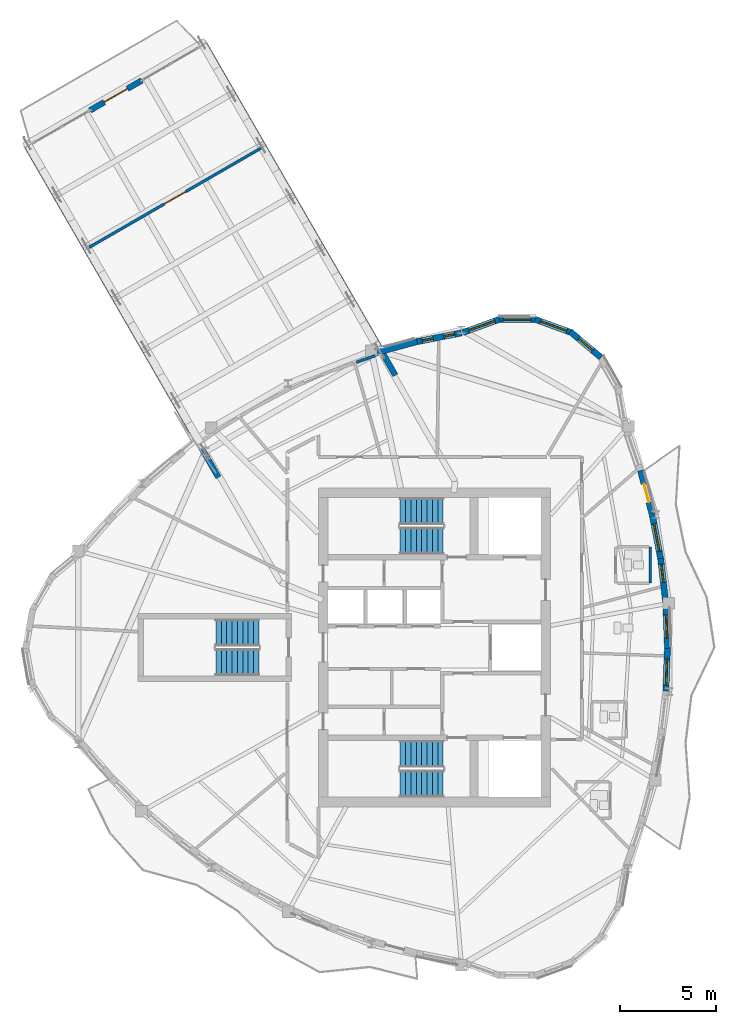
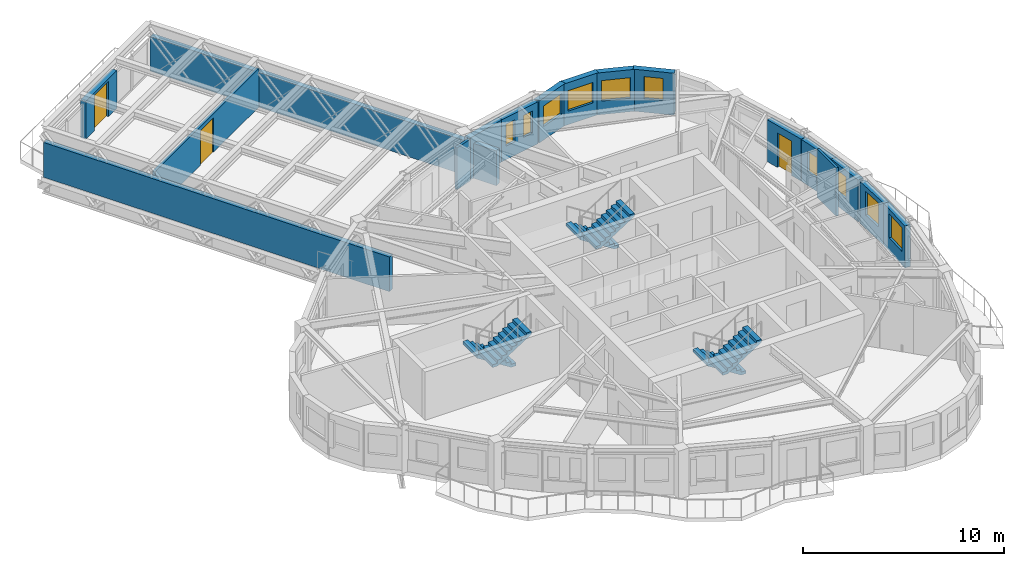
# One storey, part 10 of 14: 17 walls, 10 windows, 6 stair flights, 3 doors, 13 openings, 3 elements without a shape of their own.
"""IFC4 building model written with IfcOpenShell, lengths in metres."""

import ifcopenshell
import ifcopenshell.guid

model = None  # the IFC model being written
_history = None  # IfcOwnerHistory: only IFC2X3 demands one
_inside = {}  # id of a spatial element -> (the spatial element, [elements in it])
_under = {}  # id of a project, library or spatial element -> (it, [spatial elements below it])
_declared = {}  # id of a project -> (the project, [libraries it declares])
_typed = {}  # id of a type object -> (the type object, [elements of that type])
_made_of = {}  # id of a material, layer set ... -> (it, [elements and type objects made of it])


def new_model(schema):
    """Start an empty IFC model of exactly this schema.

    Asked for "IFC4X3", IfcOpenShell would pick the latest addendum, in which some entities
    have other attributes; the version numbers below select the first issue.
    IFC2X3 requires an IfcOwnerHistory on every rooted entity: one is made here for all.
    """
    global model, _history
    if schema == "IFC4X3":
        model = ifcopenshell.file(schema_version=(4, 3, 0, 0))
    else:
        model = ifcopenshell.file(schema=schema)
    _inside.clear()
    _under.clear()
    _declared.clear()
    _typed.clear()
    _made_of.clear()
    _history = None
    if model.schema == "IFC2X3":
        org = make("IfcOrganization", Name="unknown")
        user = make(
            "IfcPersonAndOrganization",
            ThePerson=make("IfcPerson", FamilyName="unknown"),
            TheOrganization=org,
        )
        app = make(
            "IfcApplication",
            ApplicationDeveloper=org,
            Version="unknown",
            ApplicationFullName="unknown",
            ApplicationIdentifier="unknown",
        )
        _history = make(
            "IfcOwnerHistory",
            OwningUser=user,
            OwningApplication=app,
            ChangeAction="ADDED",
            CreationDate=0,
        )
    return model


def make(cls, **values):
    """One entity of the class cls with the attributes given. An attribute that is None is left unset."""
    return model.create_entity(
        cls, **{name: value for name, value in values.items() if value is not None}
    )


def rooted(cls, **values):
    """An entity with a GlobalId (a new one), such as an element, a storey or a relation."""
    return make(cls, GlobalId=ifcopenshell.guid.new(), OwnerHistory=_history, **values)


def si_unit(unit_type, name, prefix=None):
    """IfcSIUnit, for example si_unit("LENGTHUNIT", "METRE", prefix="MILLI")."""
    return make("IfcSIUnit", UnitType=unit_type, Prefix=prefix, Name=name)


def assignment(units):
    """IfcUnitAssignment: the units of a project."""
    return None if units is None else make("IfcUnitAssignment", Units=units)


def point(xyz):
    """IfcCartesianPoint."""
    return None if xyz is None else make("IfcCartesianPoint", Coordinates=xyz)


def direction(xyz):
    """IfcDirection."""
    return None if xyz is None else make("IfcDirection", DirectionRatios=xyz)


def frame(location, z_axis=None, x_axis=None):
    """IfcAxis2Placement3D, a coordinate frame: its origin and axes. An axis left out is left unset."""
    return make(
        "IfcAxis2Placement3D",
        Location=point(location),
        Axis=direction(z_axis),
        RefDirection=direction(x_axis),
    )


def frame_2d(location, x_axis=None):
    """IfcAxis2Placement2D, a coordinate frame in the plane: its origin and x axis."""
    return make(
        "IfcAxis2Placement2D", Location=point(location), RefDirection=direction(x_axis)
    )


def origin():
    """The frame at (0, 0, 0) with its axes left unset."""
    return frame((0.0, 0.0, 0.0))


def place(relative_to, where):
    """IfcLocalPlacement: puts the frame where relative to a parent placement (None: the world)."""
    return make(
        "IfcLocalPlacement", PlacementRelTo=relative_to, RelativePlacement=where
    )


def context(
    kind, dimensions, precision=None, world=None, true_north=None, identifier=None
):
    """IfcGeometricRepresentationContext, for example the 3D "Model" context."""
    return make(
        "IfcGeometricRepresentationContext",
        ContextIdentifier=identifier,
        ContextType=kind,
        CoordinateSpaceDimension=dimensions,
        Precision=precision,
        WorldCoordinateSystem=world,
        TrueNorth=true_north,
    )


def subcontext(parent, identifier, kind, view, scale=None):
    """IfcGeometricRepresentationSubContext, for example "Body" below "Model"."""
    return make(
        "IfcGeometricRepresentationSubContext",
        ContextIdentifier=identifier,
        ContextType=kind,
        ParentContext=parent,
        TargetScale=scale,
        TargetView=view,
    )


def project(units=None, contexts=None):
    """IfcProject with its units and contexts."""
    return rooted(
        "IfcProject",
        Name="project",
        RepresentationContexts=contexts,
        UnitsInContext=assignment(units),
    )


def spatial(cls, under=None, at=None, **own):
    """A site, building, storey or space (cls), placed at a placement, below another one or the project."""
    s = rooted(cls, ObjectPlacement=at, **own)
    if under is not None:
        _under.setdefault(under.id(), (under, []))[1].append(s)
    return s


def polyline(points):
    """IfcPolyline through the points."""
    return make("IfcPolyline", Points=[point(p) for p in points])


def profile(cls, at=None, kind="AREA", **sizes):
    """A parametric profile (cls). Its sizes go by their IFC names, for example OverallWidth=200.0."""
    return make(cls, ProfileType=kind, Position=at, **sizes)


def rectangle(**sizes):
    """IfcRectangleProfileDef."""
    return profile("IfcRectangleProfileDef", **sizes)


def outline(outer, holes=None, kind="AREA"):
    """IfcArbitraryClosedProfileDef: a profile drawn as a closed curve; with holes, ...WithVoids."""
    if holes is None:
        return make("IfcArbitraryClosedProfileDef", ProfileType=kind, OuterCurve=outer)
    return make(
        "IfcArbitraryProfileDefWithVoids",
        ProfileType=kind,
        OuterCurve=outer,
        InnerCurves=holes,
    )


def extrude(swept, where, along, depth):
    """IfcExtrudedAreaSolid: the profile swept, set in the frame where, extruded along a direction by depth."""
    return make(
        "IfcExtrudedAreaSolid",
        SweptArea=swept,
        Position=where,
        ExtrudedDirection=direction(along),
        Depth=depth,
    )


def shape(context_of_items, identifier, shape_type, items):
    """IfcShapeRepresentation: the items that make up one representation, for example the "Body"."""
    return make(
        "IfcShapeRepresentation",
        ContextOfItems=context_of_items,
        RepresentationIdentifier=identifier,
        RepresentationType=shape_type,
        Items=items,
    )


def source(mapping_origin, context_of_items, identifier, shape_type, items):
    """IfcRepresentationMap: a shape defined once, which mapped items show again and again."""
    return make(
        "IfcRepresentationMap",
        MappingOrigin=mapping_origin,
        MappedRepresentation=shape(context_of_items, identifier, shape_type, items),
    )


def transform(
    local_origin,
    x_axis=None,
    y_axis=None,
    z_axis=None,
    scale=None,
    scale2=None,
    scale3=None,
    uniform=True,
):
    """IfcCartesianTransformationOperator3D, or its non-uniform kind. x_axis, y_axis, z_axis: its Axis1, 2, 3."""
    if uniform:
        return make(
            "IfcCartesianTransformationOperator3D",
            Axis1=direction(x_axis),
            Axis2=direction(y_axis),
            LocalOrigin=point(local_origin),
            Scale=scale,
            Axis3=direction(z_axis),
        )
    return make(
        "IfcCartesianTransformationOperator3DnonUniform",
        Axis1=direction(x_axis),
        Axis2=direction(y_axis),
        LocalOrigin=point(local_origin),
        Scale=scale,
        Axis3=direction(z_axis),
        Scale2=scale2,
        Scale3=scale3,
    )


def mapped(mapping_source, mapping_target):
    """IfcMappedItem: shows the shape of a source again, moved by a transform."""
    return make(
        "IfcMappedItem", MappingSource=mapping_source, MappingTarget=mapping_target
    )


def material(Name=None, Category=None):
    """IfcMaterial."""
    return make("IfcMaterial", Name=Name, Category=Category)


def layer(
    of_material, thickness, ventilated=None, Name=None, Category=None, Priority=None
):
    """IfcMaterialLayer: one layer of a wall or slab, of a material (None: an air gap)."""
    return make(
        "IfcMaterialLayer",
        Material=of_material,
        LayerThickness=thickness,
        IsVentilated=ventilated,
        Name=Name,
        Category=Category,
        Priority=Priority,
    )


def layer_set(layers, Name=None):
    """IfcMaterialLayerSet."""
    return make("IfcMaterialLayerSet", MaterialLayers=layers, LayerSetName=Name)


def made_of(thing, what):
    """Note that an element or type object is made of a material, layer set ...; save() writes the relation."""
    if what is not None:
        _made_of.setdefault(what.id(), (what, []))[1].append(thing)
    return thing


def type_object(cls, material=None, **own):
    """A type object (cls), such as IfcWallType, which elements share."""
    return made_of(rooted(cls, **own), material)


def element(
    cls,
    number,
    at=None,
    inside=None,
    cuts=None,
    type_object=None,
    material=None,
    context=None,
    identifier="Body",
    shape_type=None,
    held_by="IfcProductDefinitionShape",
    body=None,
    shapes=None,
    **own,
):
    """One element of the class cls, such as IfcWall. Its Tag is "e" and its number.

    at: its placement. inside: the storey or other place that contains it. cuts: it is an
    opening in that element (IfcRelVoidsElement). A single representation is given by context,
    identifier, shape_type and body (its items); several are given by shapes. held_by: the class
    of the entity that holds the representations. save() writes the other relations.
    """
    e = rooted(cls, Tag="e%d" % number, ObjectPlacement=at, **own)
    if body is not None:
        shapes = [shape(context, identifier, shape_type, body)]
    if shapes is not None:
        e.Representation = make(held_by, Representations=shapes)
    if inside is not None:
        _inside.setdefault(inside.id(), (inside, []))[1].append(e)
    if cuts is not None:
        rooted(
            "IfcRelVoidsElement", RelatingBuildingElement=cuts, RelatedOpeningElement=e
        )
    if type_object is not None:
        _typed.setdefault(type_object.id(), (type_object, []))[1].append(e)
    return made_of(e, material)


def fill(opening, filler):
    """IfcRelFillsElement: the door or window that sits in an opening."""
    return rooted(
        "IfcRelFillsElement",
        RelatingOpeningElement=opening,
        RelatedBuildingElement=filler,
    )


def aggregate(whole, parts):
    """IfcRelAggregates: a whole, such as a stair, and the parts it consists of."""
    return rooted("IfcRelAggregates", RelatingObject=whole, RelatedObjects=parts)


def save(model, path):
    """Write the relations noted so far, then the file.

    IfcRelAggregates (storeys below a building ...), IfcRelContainedInSpatialStructure (elements
    in a storey), IfcRelDefinesByType, IfcRelAssociatesMaterial and IfcRelDeclares: one each for
    every whole, place, type object, material and project.
    """
    for whole, parts in _under.values():
        aggregate(whole, parts)
    for where, things in _inside.values():
        rooted(
            "IfcRelContainedInSpatialStructure",
            RelatedElements=things,
            RelatingStructure=where,
        )
    for kind, things in _typed.values():
        rooted("IfcRelDefinesByType", RelatedObjects=things, RelatingType=kind)
    for what, things in _made_of.values():
        rooted("IfcRelAssociatesMaterial", RelatedObjects=things, RelatingMaterial=what)
    for by, libraries in _declared.values():
        rooted("IfcRelDeclares", RelatingContext=by, RelatedDefinitions=libraries)
    model.write(path)


model = new_model("IFC4")

# Units and contexts
model_context = context("Model", 3, precision=1e-05, world=origin(), true_north=direction((0.0, 1.0)))
body_context = subcontext(model_context, "Body", "Model", "MODEL_VIEW")
ifc_project = project(units=[si_unit("LENGTHUNIT", "METRE"), si_unit("AREAUNIT", "SQUARE_METRE"), si_unit("VOLUMEUNIT", "CUBIC_METRE"), si_unit("PLANEANGLEUNIT", "RADIAN"), si_unit("MASSUNIT", "GRAM", prefix="KILO")], contexts=[model_context])

# Site, building, storey
site_placement = place(None, origin())
site = spatial("IfcSite", under=ifc_project, at=site_placement, CompositionType="ELEMENT")
building_placement = place(site_placement, origin())
building = spatial("IfcBuilding", under=site, at=building_placement, Name="Qafzar Sky-Pleat Residences", CompositionType="ELEMENT")
storey_placement = place(building_placement, frame((0.0, 0.0, 205.199951171875)))
storey = spatial("IfcBuildingStorey", under=building, at=storey_placement, Name="L61", CompositionType="ELEMENT", Elevation=205.199951171875)

# Wall, opening, door
ifc_material_1 = material(Name="Acoustic gypsum plasterboard partition", Category="gypsum")
ifc_layer_1 = layer(ifc_material_1, 0.14501953125)
ifc_layer_set_1 = layer_set([ifc_layer_1], Name="Acoustic gypsum plasterboard partition")
wall_type_1 = type_object("IfcWallType", Name="PART-UNIT-145", PredefinedType="PARTITIONING", material=ifc_layer_set_1)
wall_1_placement = place(storey_placement, frame((12.3583984375, 46.83837890625, 0.0), z_axis=(0.0, 0.0, 1.0), x_axis=(0.866032792327, 0.499987202451, 0.0)))
wall_1 = element("IfcWall", 1, at=wall_1_placement, inside=storey, type_object=wall_type_1, Name="L61 Partition Wall PART-L61-PW-001", PredefinedType="PARTITIONING", context=body_context, shape_type="SweptSolid", body=[
    extrude(rectangle(XDim=10.323974609375, YDim=0.14501953125, at=frame_2d((5.162109375, 0.0))), origin(), (0.0, 0.0, 1.0), 2.35302734375),
])
opening_1_placement = place(wall_1_placement, frame((4.511474609375, 0.0, 0.0)))
opening_1 = element("IfcOpeningElement", 2, at=opening_1_placement, cuts=wall_1, Name="Opening ID-05", PredefinedType="OPENING", context=body_context, shape_type="SweptSolid", body=[
    extrude(rectangle(XDim=1.300048828125, YDim=2.10009765625, at=frame_2d((0.64990234375, 1.050048828125))), frame((0.0, 0.08251953125, 0.0), z_axis=(0.0, -1.0, 0.0), x_axis=(1.0, 0.0, 0.0)), (0.0, 0.0, 1.0), 0.1650390625),
])
ifc_material_2 = material(Name="Timber-faced fire door", Category="wood")
door_type_1 = type_object("IfcDoorType", Name="DR-LNG-1300", OperationType="DOUBLE_DOOR_SINGLE_SWING", PredefinedType="DOOR", material=ifc_material_2)
shared_shape_1 = source(origin(), body_context, "Body", "SweptSolid", [
    extrude(rectangle(XDim=1.300048828125, YDim=2.10009765625, at=frame_2d((0.64990234375, 1.050048828125))), frame((0.0, 0.02490234375, 0.0), z_axis=(0.0, -1.0, 0.0), x_axis=(1.0, 0.0, 0.0)), (0.0, 0.0, 1.0), 0.050048828125),
])
door_1_placement = place(opening_1_placement, origin())
door_1 = element("IfcDoor", 3, at=door_1_placement, inside=storey, type_object=door_type_1, Name="L61 Panorama Sky Lounge Door", OperationType="DOUBLE_DOOR_SINGLE_SWING", OverallHeight=2.10009765625, OverallWidth=1.300048828125, PredefinedType="DOOR", context=body_context, shape_type="MappedRepresentation", body=[
    mapped(shared_shape_1, transform((0.0, 0.0, 0.0), x_axis=(1.0, 0.0, 0.0), y_axis=(0.0, 1.0, 0.0), z_axis=(0.0, 0.0, 1.0), scale=1.0)),
])
fill(opening_1, door_1)

# Walls
wall_2_placement = place(storey_placement, frame((26.28662109375, 40.85595703125, 0.0), z_axis=(0.0, 0.0, 1.0), x_axis=(0.944089421658, 0.329689496214, 0.0)))
element("IfcWall", 4, at=wall_2_placement, inside=storey, type_object=wall_type_1, Name="L61 Partition Wall PART-L61-PW-048", PredefinedType="PARTITIONING", context=body_context, shape_type="SweptSolid", body=[
    extrude(rectangle(XDim=1.03662109375, YDim=0.14501953125, at=frame_2d((0.518310546875, 0.0))), origin(), (0.0, 0.0, 1.0), 2.54296875),
])
ifc_material_3 = material(Name="Moisture-resistant gypsum partition", Category="gypsum")
ifc_layer_2 = layer(ifc_material_3, 0.1298828125)
ifc_layer_set_2 = layer_set([ifc_layer_2], Name="Moisture-resistant gypsum partition")
wall_type_2 = type_object("IfcWallType", Name="PART-WET-130", PredefinedType="PARTITIONING", material=ifc_layer_set_2)
wall_3_placement = place(storey_placement, frame((41.594970703125, 29.343994140625, 0.0), z_axis=(0.0, 0.0, 1.0), x_axis=(0.0, 1.0, 0.0)))
element("IfcWall", 5, at=wall_3_placement, inside=storey, type_object=wall_type_2, Name="L61 Partition Wall PART-L61-PW-033", PredefinedType="PARTITIONING", context=body_context, shape_type="SweptSolid", body=[
    extrude(rectangle(XDim=1.89990234375, YDim=0.1298828125, at=frame_2d((0.949951171875, 0.0))), origin(), (0.0, 0.0, 1.0), 2.93505859375),
])
ifc_material_4 = material(Name="Precast concrete C40/50 with honed Riyadh limestone", Category="concrete")
ifc_layer_3 = layer(ifc_material_4, 0.300048828125)
ifc_layer_set_3 = layer_set([ifc_layer_3], Name="Precast concrete C40/50 with honed Riyadh limestone")
wall_type_3 = type_object("IfcWallType", Name="WALL-EXT-300", PredefinedType="SOLIDWALL", material=ifc_layer_set_3)
for number, where, z_axis, x_axis, name in (
    (6, (19.0927734375, 34.858154296875, 0.0), (0.0, 0.0, 1.0), (-0.499994279776, 0.866028706332, 0.0), "L61 SB-5 Side Spandrel Wall L"),
    (7, (28.307373046875, 40.177978515625, 0.0), (0.0, 0.0, 1.0), (-0.500003467681, 0.866023401709, 0.0), "L61 SB-5 Side Spandrel Wall R"),
):
    element("IfcWall", number, at=place(storey_placement, frame(where, z_axis=z_axis, x_axis=x_axis)), inside=storey, type_object=wall_type_3, Name=name, PredefinedType="SOLIDWALL", context=body_context, shape_type="SweptSolid", body=[
        extrude(rectangle(XDim=19.928955078125, YDim=0.300048828125, at=frame_2d((9.96435546875, 0.0))), origin(), (0.0, 0.0, 1.0), 2.114990234375),
    ])

# Wall, opening, door
wall_4_placement = place(storey_placement, frame((12.399658203125, 53.97119140625, 0.0), z_axis=(0.0, 0.0, 1.0), x_axis=(0.866043546354, 0.499968574831, 0.0)))
wall_4 = element("IfcWall", 8, at=wall_4_placement, inside=storey, type_object=wall_type_3, Name="L61 SB-5 Prow Portal Wall", PredefinedType="SOLIDWALL", context=body_context, shape_type="SweptSolid", body=[
    extrude(rectangle(XDim=3.119873046875, YDim=0.300048828125, at=frame_2d((1.56005859375, 0.0))), origin(), (0.0, 0.0, 1.0), 2.300048828125),
])
opening_2_placement = place(wall_4_placement, frame((0.860107421875, 0.0, 0.0)))
opening_2 = element("IfcOpeningElement", 9, at=opening_2_placement, cuts=wall_4, Name="Opening ED-07", PredefinedType="OPENING", context=body_context, shape_type="SweptSolid", body=[
    extrude(rectangle(XDim=1.39990234375, YDim=2.14990234375, at=frame_2d((0.699951171875, 1.074951171875))), frame((0.0, 0.16015625, 0.0), z_axis=(0.0, -1.0, 0.0), x_axis=(1.0, 0.0, 0.0)), (0.0, 0.0, 1.0), 0.320068359375),
])
ifc_material_5 = material(Name="Glazed bronze aluminium door", Category="aluminium")
door_type_2 = type_object("IfcDoorType", Name="DR-SB-1400", OperationType="DOUBLE_DOOR_SINGLE_SWING", PredefinedType="DOOR", material=ifc_material_5)
shared_shape_2 = source(origin(), body_context, "Body", "SweptSolid", [
    extrude(rectangle(XDim=1.39990234375, YDim=2.14990234375, at=frame_2d((0.699951171875, 1.074951171875))), frame((0.0, 0.02490234375, 0.0), z_axis=(0.0, -1.0, 0.0), x_axis=(1.0, 0.0, 0.0)), (0.0, 0.0, 1.0), 0.050048828125),
])
door_2_placement = place(opening_2_placement, origin())
door_2 = element("IfcDoor", 10, at=door_2_placement, inside=storey, type_object=door_type_2, Name="L61 SB-5 Tip Balcony Glazed Door", OperationType="DOUBLE_DOOR_SINGLE_SWING", OverallHeight=2.14990234375, OverallWidth=1.39990234375, PredefinedType="DOOR", context=body_context, shape_type="MappedRepresentation", body=[
    mapped(shared_shape_2, transform((0.0, 0.0, 0.0), x_axis=(1.0, 0.0, 0.0), y_axis=(0.0, 1.0, 0.0), z_axis=(0.0, 0.0, 1.0), scale=1.0)),
])
fill(opening_2, door_2)

# Wall, opening, window
ifc_layer_4 = layer(ifc_material_4, 0.320068359375)
ifc_layer_set_4 = layer_set([ifc_layer_4], Name="Precast concrete C40/50 with honed Riyadh limestone")
wall_type_4 = type_object("IfcWallType", Name="WALL-EXT-320", PredefinedType="SOLIDWALL", material=ifc_layer_set_4)
wall_5_placement = place(storey_placement, frame((42.39501953125, 23.7216796875, 0.0), z_axis=(0.0, 0.0, 1.0), x_axis=(0.038025668885, 0.999276762717, 0.0)))
wall_5 = element("IfcWall", 11, at=wall_5_placement, inside=storey, type_object=wall_type_4, Name="L61 Limestone Facade Wall 27", PredefinedType="SOLIDWALL", context=body_context, shape_type="SweptSolid", body=[
    extrude(rectangle(XDim=2.32421875, YDim=0.320068359375, at=frame_2d((1.162109375, 0.0))), origin(), (0.0, 0.0, 1.0), 2.554931640625),
])
opening_3_placement = place(wall_5_placement, frame((0.3125, 0.0, 0.820068359375)))
opening_3 = element("IfcOpeningElement", 12, at=opening_3_placement, cuts=wall_5, Name="Opening WN-04", PredefinedType="OPENING", context=body_context, shape_type="SweptSolid", body=[
    extrude(rectangle(XDim=1.35009765625, YDim=1.449951171875, at=frame_2d((0.675048828125, 0.72509765625))), frame((0.0, 0.169921875, 0.0), z_axis=(0.0, -1.0, 0.0), x_axis=(1.0, 0.0, 0.0)), (0.0, 0.0, 1.0), 0.340087890625),
])
ifc_material_6 = material(Name="Solar-control low-E glass in bronze aluminium frame", Category="glass")
window_type_1 = type_object("IfcWindowType", Name="WIN-04", PartitioningType="SINGLE_PANEL", PredefinedType="WINDOW", material=ifc_material_6)
shared_shape_3 = source(origin(), body_context, "Body", "SweptSolid", [
    extrude(rectangle(XDim=1.35009765625, YDim=1.449951171875, at=frame_2d((0.675048828125, 0.72509765625))), frame((0.0, 0.030029296875, 0.0), z_axis=(0.0, -1.0, 0.0), x_axis=(1.0, 0.0, 0.0)), (0.0, 0.0, 1.0), 0.06005859375),
])
window_1_placement = place(opening_3_placement, origin())
window_1 = element("IfcWindow", 13, at=window_1_placement, inside=storey, type_object=window_type_1, Name="L61 Punched Facade Window 27", OverallHeight=1.449951171875, OverallWidth=1.35009765625, PartitioningType="SINGLE_PANEL", PredefinedType="WINDOW", context=body_context, shape_type="MappedRepresentation", body=[
    mapped(shared_shape_3, transform((0.0, 0.0, 0.0), x_axis=(1.0, 0.0, 0.0), y_axis=(0.0, 1.0, 0.0), z_axis=(0.0, 0.0, 1.0), scale=1.0)),
])
fill(opening_3, window_1)

wall_6_placement = place(storey_placement, frame((42.4833984375, 25.955810546875, 0.0), z_axis=(0.0, 0.0, 1.0), x_axis=(-0.038013039165, 0.999277243238, 0.0)))
wall_6 = element("IfcWall", 14, at=wall_6_placement, inside=storey, type_object=wall_type_4, Name="L61 Limestone Facade Wall 28", PredefinedType="SOLIDWALL", context=body_context, shape_type="SweptSolid", body=[
    extrude(rectangle(XDim=2.25439453125, YDim=0.320068359375, at=frame_2d((1.127197265625, 0.0))), origin(), (0.0, 0.0, 1.0), 2.554931640625),
])
opening_4_placement = place(wall_6_placement, frame((0.531982421875, 0.0, 0.820068359375)))
opening_4 = element("IfcOpeningElement", 15, at=opening_4_placement, cuts=wall_6, Name="Opening WN-05", PredefinedType="OPENING", context=body_context, shape_type="SweptSolid", body=[
    extrude(rectangle(XDim=1.199951171875, YDim=1.449951171875, at=frame_2d((0.60009765625, 0.72509765625))), frame((0.0, 0.169921875, 0.0), z_axis=(0.0, -1.0, 0.0), x_axis=(1.0, 0.0, 0.0)), (0.0, 0.0, 1.0), 0.340087890625),
])
window_type_2 = type_object("IfcWindowType", Name="WIN-05", PartitioningType="SINGLE_PANEL", PredefinedType="WINDOW", material=ifc_material_6)
shared_shape_4 = source(origin(), body_context, "Body", "SweptSolid", [
    extrude(rectangle(XDim=1.199951171875, YDim=1.449951171875, at=frame_2d((0.60009765625, 0.72509765625))), frame((0.0, 0.030029296875, 0.0), z_axis=(0.0, -1.0, 0.0), x_axis=(1.0, 0.0, 0.0)), (0.0, 0.0, 1.0), 0.06005859375),
])
window_2_placement = place(opening_4_placement, origin())
window_2 = element("IfcWindow", 16, at=window_2_placement, inside=storey, type_object=window_type_2, Name="L61 Punched Facade Window 28", OverallHeight=1.449951171875, OverallWidth=1.199951171875, PartitioningType="SINGLE_PANEL", PredefinedType="WINDOW", context=body_context, shape_type="MappedRepresentation", body=[
    mapped(shared_shape_4, transform((0.0, 0.0, 0.0), x_axis=(1.0, 0.0, 0.0), y_axis=(0.0, 1.0, 0.0), z_axis=(0.0, 0.0, 1.0), scale=1.0)),
])
fill(opening_4, window_2)

wall_7_placement = place(storey_placement, frame((42.385009765625, 28.375732421875, 0.0), z_axis=(0.0, 0.0, 1.0), x_axis=(-0.113267221285, 0.993564560853, 0.0)))
wall_7 = element("IfcWall", 17, at=wall_7_placement, inside=storey, type_object=wall_type_4, Name="L61 Limestone Facade Wall 29", PredefinedType="SOLIDWALL", context=body_context, shape_type="SweptSolid", body=[
    extrude(rectangle(XDim=2.267578125, YDim=0.320068359375, at=frame_2d((1.1337890625, 0.0))), origin(), (0.0, 0.0, 1.0), 2.554931640625),
])
opening_5_placement = place(wall_7_placement, frame((1.02099609375, 0.0, 0.820068359375)))
opening_5 = element("IfcOpeningElement", 18, at=opening_5_placement, cuts=wall_7, Name="Opening WN-12", PredefinedType="OPENING", context=body_context, shape_type="SweptSolid", body=[
    extrude(rectangle(XDim=0.949951171875, YDim=1.35009765625, at=frame_2d((0.47509765625, 0.675048828125))), frame((0.0, 0.169921875, 0.0), z_axis=(0.0, -1.0, 0.0), x_axis=(1.0, 0.0, 0.0)), (0.0, 0.0, 1.0), 0.340087890625),
])
window_type_3 = type_object("IfcWindowType", Name="WIN-12", PartitioningType="SINGLE_PANEL", PredefinedType="WINDOW", material=ifc_material_6)
shared_shape_5 = source(origin(), body_context, "Body", "SweptSolid", [
    extrude(rectangle(XDim=0.949951171875, YDim=1.35009765625, at=frame_2d((0.47509765625, 0.675048828125))), frame((0.0, 0.030029296875, 0.0), z_axis=(0.0, -1.0, 0.0), x_axis=(1.0, 0.0, 0.0)), (0.0, 0.0, 1.0), 0.06005859375),
])
window_3_placement = place(opening_5_placement, origin())
window_3 = element("IfcWindow", 19, at=window_3_placement, inside=storey, type_object=window_type_3, Name="L61 Punched Facade Window 29-2", OverallHeight=1.35009765625, OverallWidth=0.949951171875, PartitioningType="SINGLE_PANEL", PredefinedType="WINDOW", context=body_context, shape_type="MappedRepresentation", body=[
    mapped(shared_shape_5, transform((0.0, 0.0, 0.0), x_axis=(1.0, 0.0, 0.0), y_axis=(0.0, 1.0, 0.0), z_axis=(0.0, 0.0, 1.0), scale=1.0)),
])
fill(opening_5, window_3)

wall_8_placement = place(storey_placement, frame((42.141357421875, 30.541748046875, 0.0), z_axis=(0.0, 0.0, 1.0), x_axis=(-0.186632734065, 0.982429754525, 0.0)))
wall_8 = element("IfcWall", 20, at=wall_8_placement, inside=storey, type_object=wall_type_4, Name="L61 Limestone Facade Wall 30", PredefinedType="SOLIDWALL", context=body_context, shape_type="SweptSolid", body=[
    extrude(rectangle(XDim=2.36376953125, YDim=0.320068359375, at=frame_2d((1.181884765625, 0.0))), origin(), (0.0, 0.0, 1.0), 2.554931640625),
])
opening_6_placement = place(wall_8_placement, frame((0.466796875, 0.0, 0.820068359375)))
opening_6 = element("IfcOpeningElement", 21, at=opening_6_placement, cuts=wall_8, Name="Opening WN-15", PredefinedType="OPENING", context=body_context, shape_type="SweptSolid", body=[
    extrude(rectangle(XDim=1.449951171875, YDim=1.25, at=frame_2d((0.72509765625, 0.625))), frame((0.0, 0.169921875, 0.0), z_axis=(0.0, -1.0, 0.0), x_axis=(1.0, 0.0, 0.0)), (0.0, 0.0, 1.0), 0.340087890625),
])
window_type_4 = type_object("IfcWindowType", Name="WIN-15", PartitioningType="SINGLE_PANEL", PredefinedType="WINDOW", material=ifc_material_6)
shared_shape_6 = source(origin(), body_context, "Body", "SweptSolid", [
    extrude(rectangle(XDim=1.449951171875, YDim=1.25, at=frame_2d((0.72509765625, 0.625))), frame((0.0, 0.030029296875, 0.0), z_axis=(0.0, -1.0, 0.0), x_axis=(1.0, 0.0, 0.0)), (0.0, 0.0, 1.0), 0.06005859375),
])
window_4_placement = place(opening_6_placement, origin())
window_4 = element("IfcWindow", 22, at=window_4_placement, inside=storey, type_object=window_type_4, Name="L61 Punched Facade Window 30", OverallHeight=1.25, OverallWidth=1.449951171875, PartitioningType="SINGLE_PANEL", PredefinedType="WINDOW", context=body_context, shape_type="MappedRepresentation", body=[
    mapped(shared_shape_6, transform((0.0, 0.0, 0.0), x_axis=(1.0, 0.0, 0.0), y_axis=(0.0, 1.0, 0.0), z_axis=(0.0, 0.0, 1.0), scale=1.0)),
])
fill(opening_6, window_4)

# Wall, opening, door
wall_9_placement = place(storey_placement, frame((41.69384765625, 32.8916015625, 0.0), z_axis=(0.0, 0.0, 1.0), x_axis=(-0.257068132003, 0.966393282007, 0.0)))
wall_9 = element("IfcWall", 23, at=wall_9_placement, inside=storey, type_object=wall_type_4, Name="L61 Limestone Facade Wall 31", PredefinedType="SOLIDWALL", context=body_context, shape_type="SweptSolid", body=[
    extrude(rectangle(XDim=2.40283203125, YDim=0.320068359375, at=frame_2d((1.201416015625, 0.0))), origin(), (0.0, 0.0, 1.0), 2.554931640625),
])
opening_7_placement = place(wall_9_placement, frame((0.69140625, 0.0, 0.0)))
opening_7 = element("IfcOpeningElement", 24, at=opening_7_placement, cuts=wall_9, Name="Opening ED-05", PredefinedType="OPENING", context=body_context, shape_type="SweptSolid", body=[
    extrude(rectangle(XDim=1.0, YDim=2.10009765625, at=frame_2d((0.5, 1.050048828125))), frame((0.0, 0.169921875, 0.0), z_axis=(0.0, -1.0, 0.0), x_axis=(1.0, 0.0, 0.0)), (0.0, 0.0, 1.0), 0.340087890625),
])
door_type_3 = type_object("IfcDoorType", Name="DR-BAL-1000", OperationType="NOTDEFINED", PredefinedType="DOOR", material=ifc_material_5)
shared_shape_7 = source(origin(), body_context, "Body", "SweptSolid", [
    extrude(rectangle(XDim=1.0, YDim=2.10009765625, at=frame_2d((0.5, 1.050048828125))), frame((0.0, 0.02490234375, 0.0), z_axis=(0.0, -1.0, 0.0), x_axis=(1.0, 0.0, 0.0)), (0.0, 0.0, 1.0), 0.050048828125),
])
door_3_placement = place(opening_7_placement, origin())
door_3 = element("IfcDoor", 25, at=door_3_placement, inside=storey, type_object=door_type_3, Name="L61 Glazed Balcony Door 1", OperationType="SINGLE_SWING_RIGHT", OverallHeight=2.10009765625, OverallWidth=1.0, PredefinedType="DOOR", context=body_context, shape_type="MappedRepresentation", body=[
    mapped(shared_shape_7, transform((0.0, 0.0, 0.0), x_axis=(1.0, 0.0, 0.0), y_axis=(0.0, 1.0, 0.0), z_axis=(0.0, 0.0, 1.0), scale=1.0)),
])
fill(opening_7, door_3)

# Wall, opening, window
wall_10_placement = place(storey_placement, frame((39.02197265625, 41.103515625, 0.0), z_axis=(0.0, 0.0, 1.0), x_axis=(-0.766072824549, 0.642753784499, 0.0)))
wall_10 = element("IfcWall", 26, at=wall_10_placement, inside=storey, type_object=wall_type_4, Name="L61 Limestone Facade Wall 35", PredefinedType="SOLIDWALL", context=body_context, shape_type="SweptSolid", body=[
    extrude(rectangle(XDim=2.090576171875, YDim=0.320068359375, at=frame_2d((1.04541015625, 0.0))), origin(), (0.0, 0.0, 1.0), 2.554931640625),
])
opening_8_placement = place(wall_10_placement, frame((0.5703125, 0.0, 0.820068359375)))
opening_8 = element("IfcOpeningElement", 27, at=opening_8_placement, cuts=wall_10, Name="Opening WN-12", PredefinedType="OPENING", context=body_context, shape_type="SweptSolid", body=[
    extrude(rectangle(XDim=0.949951171875, YDim=1.35009765625, at=frame_2d((0.47509765625, 0.675048828125))), frame((0.0, 0.169921875, 0.0), z_axis=(0.0, -1.0, 0.0), x_axis=(1.0, 0.0, 0.0)), (0.0, 0.0, 1.0), 0.340087890625),
])
window_5_placement = place(opening_8_placement, origin())
window_5 = element("IfcWindow", 28, at=window_5_placement, inside=storey, type_object=window_type_3, Name="L61 Punched Facade Window 35", OverallHeight=1.35009765625, OverallWidth=0.949951171875, PartitioningType="SINGLE_PANEL", PredefinedType="WINDOW", context=body_context, shape_type="MappedRepresentation", body=[
    mapped(shared_shape_5, transform((0.0, 0.0, 0.0), x_axis=(1.0, 0.0, 0.0), y_axis=(0.0, 1.0, 0.0), z_axis=(0.0, 0.0, 1.0), scale=1.0)),
])
fill(opening_8, window_5)

wall_11_placement = place(storey_placement, frame((37.533447265625, 42.382080078125, 0.0), z_axis=(0.0, 0.0, 1.0), x_axis=(-0.939697896412, 0.342005648315, 0.0)))
wall_11 = element("IfcWall", 29, at=wall_11_placement, inside=storey, type_object=wall_type_4, Name="L61 Limestone Facade Wall 36", PredefinedType="SOLIDWALL", context=body_context, shape_type="SweptSolid", body=[
    extrude(rectangle(XDim=2.090087890625, YDim=0.320068359375, at=frame_2d((1.044921875, 0.0))), origin(), (0.0, 0.0, 1.0), 2.554931640625),
])
opening_9_placement = place(wall_11_placement, frame((0.3203125, 0.0, 0.820068359375)))
opening_9 = element("IfcOpeningElement", 30, at=opening_9_placement, cuts=wall_11, Name="Opening WN-15", PredefinedType="OPENING", context=body_context, shape_type="SweptSolid", body=[
    extrude(rectangle(XDim=1.449951171875, YDim=1.25, at=frame_2d((0.72509765625, 0.625))), frame((0.0, 0.169921875, 0.0), z_axis=(0.0, -1.0, 0.0), x_axis=(1.0, 0.0, 0.0)), (0.0, 0.0, 1.0), 0.340087890625),
])
window_6_placement = place(opening_9_placement, origin())
window_6 = element("IfcWindow", 31, at=window_6_placement, inside=storey, type_object=window_type_4, Name="L61 Punched Facade Window 36", OverallHeight=1.25, OverallWidth=1.449951171875, PartitioningType="SINGLE_PANEL", PredefinedType="WINDOW", context=body_context, shape_type="MappedRepresentation", body=[
    mapped(shared_shape_6, transform((0.0, 0.0, 0.0), x_axis=(1.0, 0.0, 0.0), y_axis=(0.0, 1.0, 0.0), z_axis=(0.0, 0.0, 1.0), scale=1.0)),
])
fill(opening_9, window_6)

wall_12_placement = place(storey_placement, frame((35.69775390625, 43.074462890625, 0.0), z_axis=(0.0, 0.0, 1.0), x_axis=(-1.0, 0.0, 0.0)))
wall_12 = element("IfcWall", 32, at=wall_12_placement, inside=storey, type_object=wall_type_4, Name="L61 Limestone Facade Wall 37", PredefinedType="SOLIDWALL", context=body_context, shape_type="SweptSolid", body=[
    extrude(rectangle(XDim=2.09033203125, YDim=0.320068359375, at=frame_2d((1.045166015625, 0.0))), origin(), (0.0, 0.0, 1.0), 2.554931640625),
])
opening_10_placement = place(wall_12_placement, frame((0.3203125, 0.0, 0.820068359375)))
opening_10 = element("IfcOpeningElement", 33, at=opening_10_placement, cuts=wall_12, Name="Opening WN-15", PredefinedType="OPENING", context=body_context, shape_type="SweptSolid", body=[
    extrude(rectangle(XDim=1.449951171875, YDim=1.25, at=frame_2d((0.72509765625, 0.625))), frame((0.0, 0.169921875, 0.0), z_axis=(0.0, -1.0, 0.0), x_axis=(1.0, 0.0, 0.0)), (0.0, 0.0, 1.0), 0.340087890625),
])
window_7_placement = place(opening_10_placement, origin())
window_7 = element("IfcWindow", 34, at=window_7_placement, inside=storey, type_object=window_type_4, Name="L61 Punched Facade Window 37", OverallHeight=1.25, OverallWidth=1.449951171875, PartitioningType="SINGLE_PANEL", PredefinedType="WINDOW", context=body_context, shape_type="MappedRepresentation", body=[
    mapped(shared_shape_6, transform((0.0, 0.0, 0.0), x_axis=(1.0, 0.0, 0.0), y_axis=(0.0, 1.0, 0.0), z_axis=(0.0, 0.0, 1.0), scale=1.0)),
])
fill(opening_10, window_7)

wall_13_placement = place(storey_placement, frame((33.735595703125, 43.096923828125, 0.0), z_axis=(0.0, 0.0, 1.0), x_axis=(-0.939691662178, -0.342022777067, 0.0)))
wall_13 = element("IfcWall", 35, at=wall_13_placement, inside=storey, type_object=wall_type_4, Name="L61 Limestone Facade Wall 38", PredefinedType="SOLIDWALL", context=body_context, shape_type="SweptSolid", body=[
    extrude(rectangle(XDim=2.0322265625, YDim=0.320068359375, at=frame_2d((1.01611328125, 0.0))), origin(), (0.0, 0.0, 1.0), 2.554931640625),
])
opening_11_placement = place(wall_13_placement, frame((0.26123046875, 0.0, 0.820068359375)))
opening_11 = element("IfcOpeningElement", 36, at=opening_11_placement, cuts=wall_13, Name="Opening WN-15", PredefinedType="OPENING", context=body_context, shape_type="SweptSolid", body=[
    extrude(rectangle(XDim=1.449951171875, YDim=1.25, at=frame_2d((0.72509765625, 0.625))), frame((0.0, 0.169921875, 0.0), z_axis=(0.0, -1.0, 0.0), x_axis=(1.0, 0.0, 0.0)), (0.0, 0.0, 1.0), 0.340087890625),
])
window_8_placement = place(opening_11_placement, origin())
window_8 = element("IfcWindow", 37, at=window_8_placement, inside=storey, type_object=window_type_4, Name="L61 Punched Facade Window 38", OverallHeight=1.25, OverallWidth=1.449951171875, PartitioningType="SINGLE_PANEL", PredefinedType="WINDOW", context=body_context, shape_type="MappedRepresentation", body=[
    mapped(shared_shape_6, transform((0.0, 0.0, 0.0), x_axis=(1.0, 0.0, 0.0), y_axis=(0.0, 1.0, 0.0), z_axis=(0.0, 0.0, 1.0), scale=1.0)),
])
fill(opening_11, window_8)

# Wall, openings, windows
wall_14_placement = place(storey_placement, frame((31.763671875, 42.384521484375, 0.0), z_axis=(0.0, 0.0, 1.0), x_axis=(-0.981229659911, -0.192842823335, 0.0)))
wall_14 = element("IfcWall", 38, at=wall_14_placement, inside=storey, type_object=wall_type_4, Name="L61 Limestone Facade Wall 39", PredefinedType="SOLIDWALL", context=body_context, shape_type="SweptSolid", body=[
    extrude(rectangle(XDim=2.45361328125, YDim=0.320068359375, at=frame_2d((1.226806640625, 0.0))), origin(), (0.0, 0.0, 1.0), 2.554931640625),
])
opening_12_placement = place(wall_14_placement, frame((0.361328125, 0.0, 0.820068359375)))
opening_12 = element("IfcOpeningElement", 39, at=opening_12_placement, cuts=wall_14, Name="Opening WN-17", PredefinedType="OPENING", context=body_context, shape_type="SweptSolid", body=[
    extrude(rectangle(XDim=0.580078125, YDim=1.35009765625, at=frame_2d((0.2900390625, 0.675048828125))), frame((0.0, 0.169921875, 0.0), z_axis=(0.0, -1.0, 0.0), x_axis=(1.0, 0.0, 0.0)), (0.0, 0.0, 1.0), 0.340087890625),
])
opening_13_placement = place(wall_14_placement, frame((1.518310546875, 0.0, 0.820068359375)))
opening_13 = element("IfcOpeningElement", 40, at=opening_13_placement, cuts=wall_14, Name="Opening WN-17", PredefinedType="OPENING", context=body_context, shape_type="SweptSolid", body=[
    extrude(rectangle(XDim=0.580078125, YDim=1.35009765625, at=frame_2d((0.2900390625, 0.675048828125))), frame((0.0, 0.169921875, 0.0), z_axis=(0.0, -1.0, 0.0), x_axis=(1.0, 0.0, 0.0)), (0.0, 0.0, 1.0), 0.340087890625),
])
window_type_5 = type_object("IfcWindowType", Name="WIN-17", PartitioningType="SINGLE_PANEL", PredefinedType="WINDOW", material=ifc_material_6)
shared_shape_8 = source(origin(), body_context, "Body", "SweptSolid", [
    extrude(rectangle(XDim=0.580078125, YDim=1.35009765625, at=frame_2d((0.2900390625, 0.675048828125))), frame((0.0, 0.030029296875, 0.0), z_axis=(0.0, -1.0, 0.0), x_axis=(1.0, 0.0, 0.0)), (0.0, 0.0, 1.0), 0.06005859375),
])
window_9_placement = place(opening_12_placement, origin())
window_9 = element("IfcWindow", 41, at=window_9_placement, inside=storey, type_object=window_type_5, Name="L61 Punched Facade Window 39", OverallHeight=1.35009765625, OverallWidth=0.580078125, PartitioningType="SINGLE_PANEL", PredefinedType="WINDOW", context=body_context, shape_type="MappedRepresentation", body=[
    mapped(shared_shape_8, transform((0.0, 0.0, 0.0), x_axis=(1.0, 0.0, 0.0), y_axis=(0.0, 1.0, 0.0), z_axis=(0.0, 0.0, 1.0), scale=1.0)),
])
fill(opening_12, window_9)
window_10_placement = place(opening_13_placement, origin())
window_10 = element("IfcWindow", 42, at=window_10_placement, inside=storey, type_object=window_type_5, Name="L61 Punched Facade Window 39-2", OverallHeight=1.35009765625, OverallWidth=0.580078125, PartitioningType="SINGLE_PANEL", PredefinedType="WINDOW", context=body_context, shape_type="MappedRepresentation", body=[
    mapped(shared_shape_8, transform((0.0, 0.0, 0.0), x_axis=(1.0, 0.0, 0.0), y_axis=(0.0, 1.0, 0.0), z_axis=(0.0, 0.0, 1.0), scale=1.0)),
])
fill(opening_13, window_10)

# Wall
wall_15_placement = place(storey_placement, frame((29.441162109375, 41.93115234375, 0.0), z_axis=(0.0, 0.0, 1.0), x_axis=(-0.965448832587, -0.260592693023, 0.0)))
element("IfcWall", 43, at=wall_15_placement, inside=storey, type_object=wall_type_4, Name="L61 Limestone Facade Wall 40", PredefinedType="SOLIDWALL", context=body_context, shape_type="SweptSolid", body=[
    extrude(rectangle(XDim=2.332763671875, YDim=0.320068359375, at=frame_2d((1.16650390625, 0.0))), origin(), (0.0, 0.0, 1.0), 2.554931640625),
])

# Stair, stair flights
ifc_material_7 = material(Name="Concrete C40/50", Category="concrete")
stair_type = type_object("IfcStairType", Name="STAIR-H320", PredefinedType="HALF_TURN_STAIR", material=ifc_material_7)
stair_1_placement = place(storey_placement, origin())
stair_1 = element("IfcStair", 44, at=stair_1_placement, inside=storey, type_object=stair_type, Name="L61 Protected Exit Stair ST1", PredefinedType="HALF_TURN_STAIR")
stair_flight_type = type_object("IfcStairFlightType", Name="FLIGHT-H320", PredefinedType="STRAIGHT", material=ifc_material_7)
shared_shape_9 = source(origin(), body_context, "Body", "SweptSolid", [
    extrude(outline(polyline([(0.0, 0.0), (0.0, 0.177734375), (0.280029296875, 0.177734375), (0.280029296875, 0.35546875), (0.56005859375, 0.35546875), (0.56005859375, 0.533447265625), (0.840087890625, 0.533447265625), (0.840087890625, 0.711181640625), (1.1201171875, 0.711181640625), (1.1201171875, 0.888916015625), (1.39990234375, 0.888916015625), (1.39990234375, 1.066650390625), (1.679931640625, 1.066650390625), (1.679931640625, 1.244384765625), (1.9599609375, 1.244384765625), (1.9599609375, 1.422119140625), (2.239990234375, 1.422119140625), (2.239990234375, 1.60009765625), (2.239990234375, 1.24462890625), (0.27978515625, 0.0), (0.0, 0.0)])), frame((0.0, 0.699951171875, 0.0), z_axis=(0.0, -1.0, 0.0), x_axis=(1.0, 0.0, 0.0)), (0.0, 0.0, 1.0), 1.39990234375),
])
stair_flight_1_placement = place(storey_placement, frame((30.800048828125, 20.449951171875, 0.0), z_axis=(0.0, 0.0, 1.0), x_axis=(-1.0, 0.0, 0.0)))
stair_flight_1 = element("IfcStairFlight", 45, at=stair_flight_1_placement, type_object=stair_flight_type, Name="ST1 flight 1", NumberOfRisers=9, NumberOfTreads=8, PredefinedType="STRAIGHT", RiserHeight=0.177777778, TreadLength=0.28, context=body_context, shape_type="MappedRepresentation", body=[
    mapped(shared_shape_9, transform((0.0, 0.0, 0.0), x_axis=(1.0, 0.0, 0.0), y_axis=(0.0, 1.0, 0.0), z_axis=(0.0, 0.0, 1.0), scale=1.0)),
])
stair_flight_2_placement = place(storey_placement, frame((28.56005859375, 18.89990234375, 1.60009765625), z_axis=(0.0, 0.0, 1.0), x_axis=(1.0, 0.0, 0.0)))
stair_flight_2 = element("IfcStairFlight", 46, at=stair_flight_2_placement, type_object=stair_flight_type, Name="ST1 flight 2", NumberOfRisers=9, NumberOfTreads=8, PredefinedType="STRAIGHT", RiserHeight=0.177777778, TreadLength=0.28, context=body_context, shape_type="MappedRepresentation", body=[
    mapped(shared_shape_9, transform((0.0, 0.0, 0.0), x_axis=(1.0, 0.0, 0.0), y_axis=(0.0, 1.0, 0.0), z_axis=(0.0, 0.0, 1.0), scale=1.0)),
])
aggregate(stair_1, [stair_flight_1, stair_flight_2])

stair_2_placement = place(storey_placement, origin())
stair_2 = element("IfcStair", 47, at=stair_2_placement, inside=storey, type_object=stair_type, Name="L61 Protected Exit Stair ST2", PredefinedType="HALF_TURN_STAIR")
stair_flight_3_placement = place(storey_placement, frame((30.800048828125, 33.10009765625, 0.0), z_axis=(0.0, 0.0, 1.0), x_axis=(-1.0, 0.0, 0.0)))
stair_flight_3 = element("IfcStairFlight", 48, at=stair_flight_3_placement, type_object=stair_flight_type, Name="ST2 flight 1", NumberOfRisers=9, NumberOfTreads=8, PredefinedType="STRAIGHT", RiserHeight=0.177777778, TreadLength=0.28, context=body_context, shape_type="MappedRepresentation", body=[
    mapped(shared_shape_9, transform((0.0, 0.0, 0.0), x_axis=(1.0, 0.0, 0.0), y_axis=(0.0, 1.0, 0.0), z_axis=(0.0, 0.0, 1.0), scale=1.0)),
])
stair_flight_4_placement = place(storey_placement, frame((28.56005859375, 31.550048828125, 1.60009765625), z_axis=(0.0, 0.0, 1.0), x_axis=(1.0, 0.0, 0.0)))
stair_flight_4 = element("IfcStairFlight", 49, at=stair_flight_4_placement, type_object=stair_flight_type, Name="ST2 flight 2", NumberOfRisers=9, NumberOfTreads=8, PredefinedType="STRAIGHT", RiserHeight=0.177777778, TreadLength=0.28, context=body_context, shape_type="MappedRepresentation", body=[
    mapped(shared_shape_9, transform((0.0, 0.0, 0.0), x_axis=(1.0, 0.0, 0.0), y_axis=(0.0, 1.0, 0.0), z_axis=(0.0, 0.0, 1.0), scale=1.0)),
])
aggregate(stair_2, [stair_flight_3, stair_flight_4])

stair_3_placement = place(storey_placement, origin())
stair_3 = element("IfcStair", 50, at=stair_3_placement, inside=storey, type_object=stair_type, Name="L61 Protected Exit Stair ST3", PredefinedType="HALF_TURN_STAIR")
stair_flight_5_placement = place(storey_placement, frame((21.199951171875, 26.77490234375, 0.0), z_axis=(0.0, 0.0, 1.0), x_axis=(-1.0, 0.0, 0.0)))
stair_flight_5 = element("IfcStairFlight", 51, at=stair_flight_5_placement, type_object=stair_flight_type, Name="ST3 flight 1", NumberOfRisers=9, NumberOfTreads=8, PredefinedType="STRAIGHT", RiserHeight=0.177777778, TreadLength=0.28, context=body_context, shape_type="MappedRepresentation", body=[
    mapped(shared_shape_9, transform((0.0, 0.0, 0.0), x_axis=(1.0, 0.0, 0.0), y_axis=(0.0, 1.0, 0.0), z_axis=(0.0, 0.0, 1.0), scale=1.0)),
])
stair_flight_6_placement = place(storey_placement, frame((18.9599609375, 25.22509765625, 1.60009765625), z_axis=(0.0, 0.0, 1.0), x_axis=(1.0, 0.0, 0.0)))
stair_flight_6 = element("IfcStairFlight", 52, at=stair_flight_6_placement, type_object=stair_flight_type, Name="ST3 flight 2", NumberOfRisers=9, NumberOfTreads=8, PredefinedType="STRAIGHT", RiserHeight=0.177777778, TreadLength=0.28, context=body_context, shape_type="MappedRepresentation", body=[
    mapped(shared_shape_9, transform((0.0, 0.0, 0.0), x_axis=(1.0, 0.0, 0.0), y_axis=(0.0, 1.0, 0.0), z_axis=(0.0, 0.0, 1.0), scale=1.0)),
])
aggregate(stair_3, [stair_flight_5, stair_flight_6])

save(model, "model.ifc")
